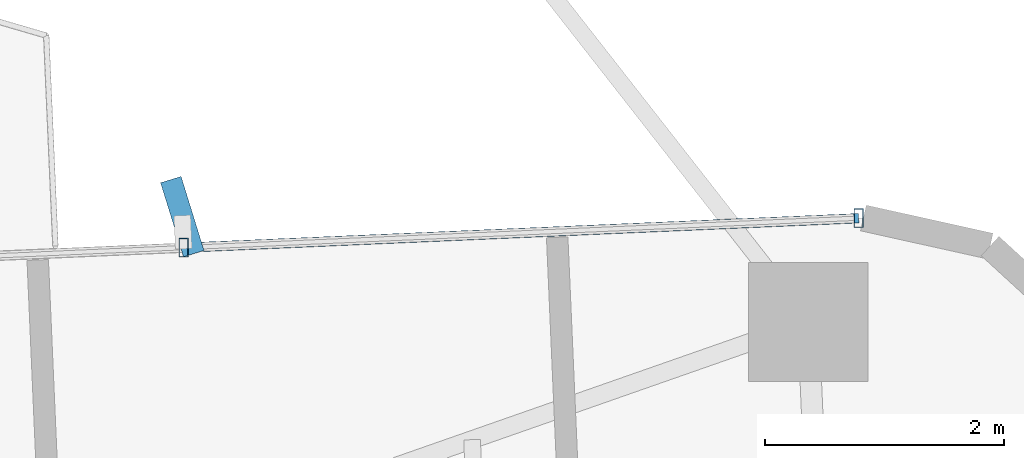
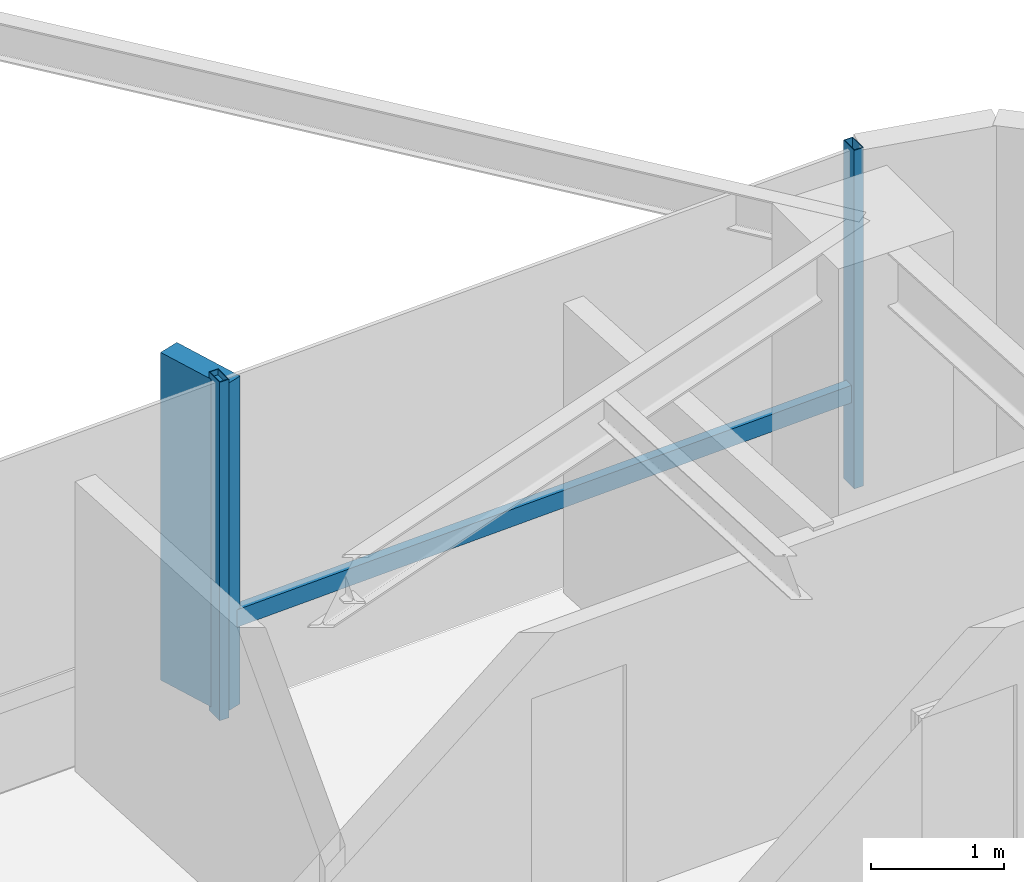
# One storey, part 20 of 26: 4 members, 1 element without a shape of its own.
"""IFC4 building model written with IfcOpenShell, lengths in metres."""

from ifc_helpers import new_model, si_unit, direction, frame, origin, origin_2d, place, context, subcontext, project, spatial, rectangle, hollow_rectangle, extrude, source, transform, mapped, material, material_profile, profile_set, type_object, element, aggregate, save


model = new_model("IFC4")

# Units and contexts
model_context = context("Model", 3, precision=1e-05, world=origin(), true_north=direction((0.0, 1.0)))
body_context = subcontext(model_context, "Body", "Model", "MODEL_VIEW")
ifc_project = project(units=[si_unit("LENGTHUNIT", "METRE"), si_unit("AREAUNIT", "SQUARE_METRE"), si_unit("VOLUMEUNIT", "CUBIC_METRE"), si_unit("PLANEANGLEUNIT", "RADIAN"), si_unit("MASSUNIT", "GRAM", prefix="KILO")], contexts=[model_context])

# Site, building, storey
site_placement = place(None, origin())
site = spatial("IfcSite", under=ifc_project, at=site_placement, CompositionType="ELEMENT")
building_placement = place(site_placement, origin())
building = spatial("IfcBuilding", under=site, at=building_placement, Name="Sahyath Konkavel Grand Hotel", CompositionType="ELEMENT")
storey_placement = place(building_placement, frame((0.0, 0.0, 131.550048828125)))
storey = spatial("IfcBuildingStorey", under=building, at=storey_placement, Name="L36", CompositionType="ELEMENT", Elevation=131.550048828125)

# Curtain wall, members
ifc_material_1 = material(Name="Anodised Bronze Aluminium & Low-E Glazing", Category="aluminium")
curtain_wall_type = type_object("IfcCurtainWallType", Name="CW-ZONE2", PredefinedType="NOTDEFINED", material=ifc_material_1)
curtain_wall_placement = place(storey_placement, origin())
curtain_wall = element("IfcCurtainWall", 1, at=curtain_wall_placement, inside=storey, type_object=curtain_wall_type, Name="L36 Unitised Curtain Wall F7", PredefinedType="NOTDEFINED")
ifc_material_2 = material(Name="Anodised Bronze Aluminium", Category="aluminium")
ifc_material_profile_1 = material_profile(ifc_material_2, hollow_rectangle(XDim=0.080078125, YDim=0.159912109375, WallThickness=0.006103515625, at=origin_2d()), Name="RHS 160x80x6")
ifc_profile_set_1 = profile_set([ifc_material_profile_1], Name="Anodised Bronze Aluminium")
member_type_1 = type_object("IfcMemberType", Name="CW-MUL-160", PredefinedType="MULLION", material=ifc_profile_set_1)
shared_shape_1 = source(origin(), body_context, "Body", "SweptSolid", [
    extrude(hollow_rectangle(XDim=0.080078125, YDim=0.159912109375, WallThickness=0.006103515625, at=origin_2d()), origin(), (0.0, 0.0, 1.0), 3.10986328125),
])
member_1_placement = place(storey_placement, frame((17.655029296875, 7.377197265625, 0.0), z_axis=(0.0, 0.0, 1.0), x_axis=(1.0, 0.0, 0.0)))
member_1 = element("IfcMember", 2, at=member_1_placement, type_object=member_type_1, Name="L36 Curtain Wall Mullion F7-0", PredefinedType="MULLION", context=body_context, shape_type="MappedRepresentation", body=[
    mapped(shared_shape_1, transform((0.0, 0.0, 0.0), scale=1.0)),
])
member_2_placement = place(storey_placement, frame((12.00048828125, 7.13037109375, 0.0), z_axis=(0.0, 0.0, 1.0), x_axis=(1.0, 0.0, 0.0)))
member_2 = element("IfcMember", 3, at=member_2_placement, type_object=member_type_1, Name="L36 Curtain Wall Mullion F7-1", PredefinedType="MULLION", context=body_context, shape_type="MappedRepresentation", body=[
    mapped(shared_shape_1, transform((0.0, 0.0, 0.0), scale=1.0)),
])
ifc_material_3 = material(Name="Warm Buff Sandstone Cladding on Concrete C50/60", Category="masonry")
ifc_material_profile_2 = material_profile(ifc_material_3, rectangle(XDim=0.179931640625, YDim=0.64990234375, at=origin_2d()), Name="FIN 180x650")
ifc_profile_set_2 = profile_set([ifc_material_profile_2], Name="Warm Buff Sandstone Cladding on Concrete C50/60")
member_type_2 = type_object("IfcMemberType", Name="FIN-SANDSTONE-650", PredefinedType="MULLION", material=ifc_profile_set_2)
shared_shape_2 = source(origin(), body_context, "Body", "SweptSolid", [
    extrude(rectangle(XDim=0.179931640625, YDim=0.64990234375, at=origin_2d()), origin(), (0.0, 0.0, 1.0), 3.010009765625),
])
member_3_placement = place(storey_placement, frame((11.989013671875, 7.39013671875, 0.050048828125), z_axis=(0.0, 0.0, 1.0), x_axis=(0.955278362122, 0.295708050044, 0.0)))
member_3 = element("IfcMember", 4, at=member_3_placement, type_object=member_type_2, Name="L36 Sandstone Vertical Solar Fin FIN F7-1", PredefinedType="MULLION", context=body_context, shape_type="MappedRepresentation", body=[
    mapped(shared_shape_2, transform((0.0, 0.0, 0.0), scale=1.0)),
])
ifc_material_profile_3 = material_profile(ifc_material_2, hollow_rectangle(XDim=0.080078125, YDim=0.159912109375, WallThickness=0.006103515625, at=origin_2d()), Name="RHS 160x80x6")
ifc_profile_set_3 = profile_set([ifc_material_profile_3], Name="Anodised Bronze Aluminium")
member_type_3 = type_object("IfcMemberType", Name="CW-TRN-160", PredefinedType="USERDEFINED", material=ifc_profile_set_3)
shared_shape_3 = source(origin(), body_context, "Body", "SweptSolid", [
    extrude(hollow_rectangle(XDim=0.080078125, YDim=0.159912109375, WallThickness=0.006103515625, at=origin_2d()), origin(), (0.0, 0.0, 1.0), 5.659912109375),
])
member_4_placement = place(storey_placement, frame((17.655029296875, 7.377197265625, 0.849853515625), z_axis=(-0.999048655935, -0.043609437898, 0.0), x_axis=(0.043609437898, -0.999048655935, 0.0)))
member_4 = element("IfcMember", 5, at=member_4_placement, type_object=member_type_3, Name="L36 Curtain Wall Transom F7-0-spandrel", ObjectType="TRANSOM", PredefinedType="USERDEFINED", context=body_context, shape_type="MappedRepresentation", body=[
    mapped(shared_shape_3, transform((0.0, 0.0, 0.0), scale=1.0)),
])
aggregate(curtain_wall, [member_1, member_2, member_3, member_4])

save(model, "model.ifc")
